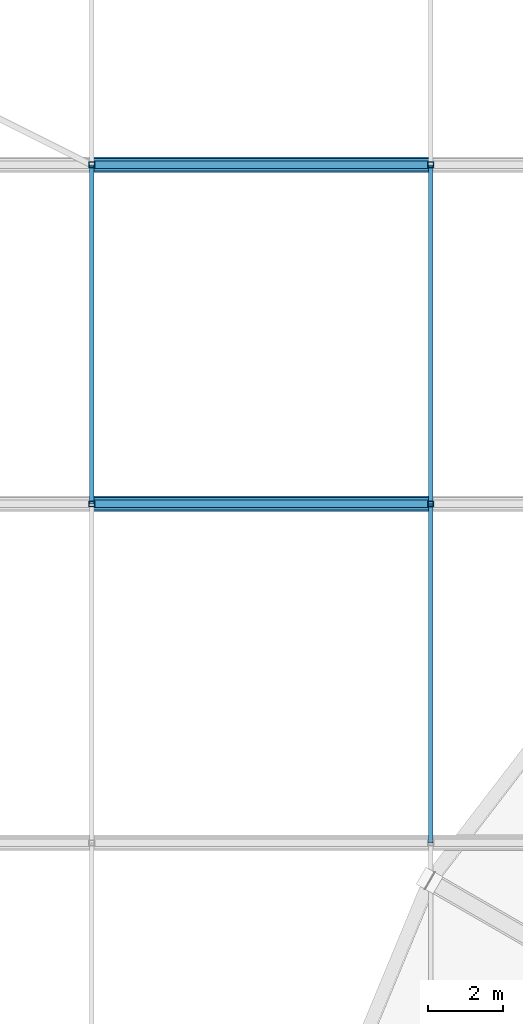
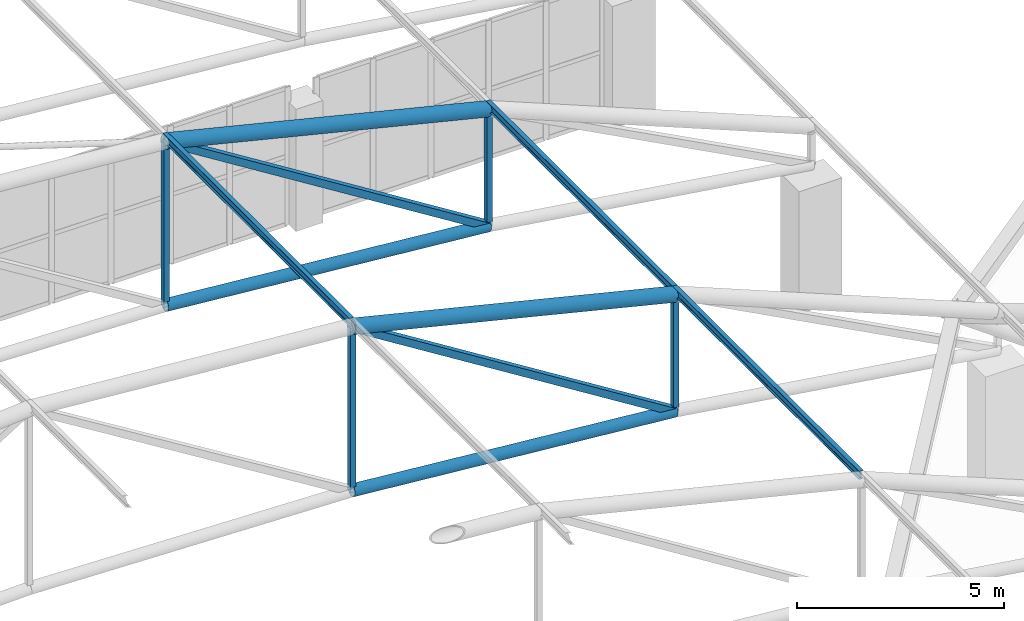
# One storey, part 62 of 167: 13 members.
"""IFC4 building model written with IfcOpenShell, lengths in metres."""

from ifc_helpers import new_model, si_unit, direction, frame, origin, origin_2d, place, context, subcontext, project, spatial, hollow_rectangle, hollow_circle, i_section, extrude, material, material_profile, profile_set, type_object, element, save


model = new_model("IFC4")

# Units and contexts
model_context = context("Model", 3, precision=1e-05, world=origin(), true_north=direction((0.0, 1.0)))
body_context = subcontext(model_context, "Body", "Model", "MODEL_VIEW")
ifc_project = project(units=[si_unit("LENGTHUNIT", "METRE"), si_unit("AREAUNIT", "SQUARE_METRE"), si_unit("VOLUMEUNIT", "CUBIC_METRE"), si_unit("PLANEANGLEUNIT", "RADIAN"), si_unit("MASSUNIT", "GRAM", prefix="KILO")], contexts=[model_context])

# Site, building, storey
site_placement = place(None, origin())
site = spatial("IfcSite", under=ifc_project, at=site_placement, CompositionType="ELEMENT")
building_placement = place(site_placement, origin())
building = spatial("IfcBuilding", under=site, at=building_placement, Name="Dornveld Trade and Exhibition Forum", CompositionType="ELEMENT")
storey_placement = place(building_placement, frame((0.0, 0.0, 16.800048828125)))
storey = spatial("IfcBuildingStorey", under=building, at=storey_placement, Name="L03", CompositionType="ELEMENT", Elevation=16.800048828125)

# Members
ifc_material_1 = material(Name="Steel S355J2", Category="steel")
ifc_material_profile_1 = material_profile(ifc_material_1, hollow_circle(Radius=0.161865234375, WallThickness=0.01611328125, at=origin_2d()), Name="CHS 323.9x16")
ifc_profile_set_1 = profile_set([ifc_material_profile_1], Name="Steel S355J2")
member_type_1 = type_object("IfcMemberType", Name="MEM-ARCH-BC", PredefinedType="CHORD", material=ifc_profile_set_1)
for number, where, z_axis, x_axis, name in (
    (1, (63.0, 117.0, 6.083251953125), (0.996072164085, 0.0, -0.088545151956), (0.0, 1.0, 0.0), "H3 truss 10 tie chord 5"),
    (2, (63.0, 126.0, 6.083251953125), (0.996072164085, 0.0, -0.088545151956), (0.0, 1.0, 0.0), "H3 truss 11 tie chord 5"),
):
    element("IfcMember", number, at=place(storey_placement, frame(where, z_axis=z_axis, x_axis=x_axis)), inside=storey, type_object=member_type_1, Name=name, PredefinedType="CHORD", context=body_context, shape_type="SweptSolid", body=[
        extrude(hollow_circle(Radius=0.161865234375, WallThickness=0.01611328125, at=origin_2d()), origin(), (0.0, 0.0, 1.0), 9.035400390625),
    ])
ifc_material_2 = material(Name="Steel S355J2", Category="steel")
ifc_material_profile_2 = material_profile(ifc_material_2, hollow_rectangle(XDim=0.14990234375, YDim=0.14990234375, WallThickness=0.008056640625, at=origin_2d()), Name="SHS 150x150x8")
ifc_profile_set_2 = profile_set([ifc_material_profile_2], Name="Steel S355J2")
member_type_2 = type_object("IfcMemberType", Name="MEM-ARCH-STR", PredefinedType="STRUT", material=ifc_profile_set_2)
member_1_placement = place(storey_placement, frame((63.0, 117.0, 6.083251953125), z_axis=(0.0, 0.0, 1.0), x_axis=(1.0, 0.0, 0.0)))
element("IfcMember", 3, at=member_1_placement, inside=storey, type_object=member_type_2, Name="H3 truss 10 strut 5", PredefinedType="STRUT", context=body_context, shape_type="SweptSolid", body=[
    extrude(hollow_rectangle(XDim=0.14990234375, YDim=0.14990234375, WallThickness=0.008056640625, at=origin_2d()), origin(), (0.0, 0.0, 1.0), 4.83349609375),
])
member_2_placement = place(storey_placement, frame((72.0, 117.0, 5.283203125), z_axis=(0.0, 0.0, 1.0), x_axis=(1.0, 0.0, 0.0)))
element("IfcMember", 4, at=member_2_placement, inside=storey, type_object=member_type_2, Name="H3 truss 10 strut 6", PredefinedType="STRUT", context=body_context, shape_type="SweptSolid", body=[
    extrude(hollow_rectangle(XDim=0.14990234375, YDim=0.14990234375, WallThickness=0.008056640625, at=origin_2d()), origin(), (0.0, 0.0, 1.0), 3.433349609375),
])
member_3_placement = place(storey_placement, frame((63.0, 126.0, 6.083251953125), z_axis=(0.0, 0.0, 1.0), x_axis=(1.0, 0.0, 0.0)))
element("IfcMember", 5, at=member_3_placement, inside=storey, type_object=member_type_2, Name="H3 truss 11 strut 5", PredefinedType="STRUT", context=body_context, shape_type="SweptSolid", body=[
    extrude(hollow_rectangle(XDim=0.14990234375, YDim=0.14990234375, WallThickness=0.008056640625, at=origin_2d()), origin(), (0.0, 0.0, 1.0), 4.83349609375),
])
member_4_placement = place(storey_placement, frame((72.0, 126.0, 5.283203125), z_axis=(0.0, 0.0, 1.0), x_axis=(1.0, 0.0, 0.0)))
element("IfcMember", 6, at=member_4_placement, inside=storey, type_object=member_type_2, Name="H3 truss 11 strut 6", PredefinedType="STRUT", context=body_context, shape_type="SweptSolid", body=[
    extrude(hollow_rectangle(XDim=0.14990234375, YDim=0.14990234375, WallThickness=0.008056640625, at=origin_2d()), origin(), (0.0, 0.0, 1.0), 3.433349609375),
])
ifc_material_3 = material(Name="Steel S355J2", Category="steel")
ifc_material_profile_3 = material_profile(ifc_material_3, hollow_circle(Radius=0.203125, WallThickness=0.02001953125, at=origin_2d()), Name="CHS 406.4x20")
ifc_profile_set_3 = profile_set([ifc_material_profile_3], Name="Steel S355J2")
member_type_3 = type_object("IfcMemberType", Name="MEM-ARCH-TC", PredefinedType="CHORD", material=ifc_profile_set_3)
for number, where, z_axis, x_axis, name in (
    (7, (63.0, 117.0, 10.916748046875), (0.971394143806, 0.0, -0.237472982421), (0.0, 1.0, 0.0), "H3 truss 10 top chord 5"),
    (8, (63.0, 126.0, 10.916748046875), (0.971394143806, 0.0, -0.237472982421), (0.0, 1.0, 0.0), "H3 truss 11 top chord 5"),
):
    element("IfcMember", number, at=place(storey_placement, frame(where, z_axis=z_axis, x_axis=x_axis)), inside=storey, type_object=member_type_3, Name=name, PredefinedType="CHORD", context=body_context, shape_type="SweptSolid", body=[
        extrude(hollow_circle(Radius=0.203125, WallThickness=0.02001953125, at=origin_2d()), origin(), (0.0, 0.0, 1.0), 9.26513671875),
    ])
ifc_material_4 = material(Name="Steel S355J2", Category="steel")
ifc_material_profile_4 = material_profile(ifc_material_4, hollow_rectangle(XDim=0.199951171875, YDim=0.199951171875, WallThickness=0.010009765625, at=origin_2d()), Name="SHS 200x200x10")
ifc_profile_set_4 = profile_set([ifc_material_profile_4], Name="Steel S355J2")
member_type_4 = type_object("IfcMemberType", Name="MEM-ARCH-WEB", PredefinedType="BRACE", material=ifc_profile_set_4)
for number, where, z_axis, x_axis, name in (
    (9, (72.0, 117.0, 5.283203125), (-0.84763640931, 0.0, 0.53057753214), (0.0, -1.0, 0.0), "H3 truss 10 web 5"),
    (10, (72.0, 126.0, 5.283203125), (-0.84763640931, 0.0, 0.53057753214), (0.0, -1.0, 0.0), "H3 truss 11 web 5"),
):
    element("IfcMember", number, at=place(storey_placement, frame(where, z_axis=z_axis, x_axis=x_axis)), inside=storey, type_object=member_type_4, Name=name, PredefinedType="BRACE", context=body_context, shape_type="SweptSolid", body=[
        extrude(hollow_rectangle(XDim=0.199951171875, YDim=0.199951171875, WallThickness=0.010009765625, at=origin_2d()), origin(), (0.0, 0.0, 1.0), 10.61767578125),
    ])
ifc_material_5 = material(Name="Steel S355J2", Category="steel")
ifc_material_profile_5 = material_profile(ifc_material_5, i_section(OverallWidth=0.1201171875, OverallDepth=0.239990234375, WebThickness=0.006103515625, FlangeThickness=0.009765625, FilletRadius=0.014892578125, at=origin_2d()), Name="IPE 240")
ifc_profile_set_5 = profile_set([ifc_material_profile_5], Name="Steel S355J2")
member_type_5 = type_object("IfcMemberType", Name="MEM-PURLIN-240", PredefinedType="PURLIN", material=ifc_profile_set_5)
for number, where, z_axis, x_axis, name in (
    (11, (72.0, 108.0, 8.8486328125), (0.0, 1.0, 0.0), (-1.0, 0.0, 0.0), "H3 bay 9 roof purlin 6"),
    (12, (63.0, 117.0, 11.048583984375), (0.0, 1.0, 0.0), (-1.0, 0.0, 0.0), "H3 bay 10 roof purlin 5"),
    (13, (72.0, 117.0, 8.8486328125), (0.0, 1.0, 0.0), (-1.0, 0.0, 0.0), "H3 bay 10 roof purlin 6"),
):
    element("IfcMember", number, at=place(storey_placement, frame(where, z_axis=z_axis, x_axis=x_axis)), inside=storey, type_object=member_type_5, Name=name, PredefinedType="PURLIN", context=body_context, shape_type="SweptSolid", body=[
        extrude(i_section(OverallWidth=0.1201171875, OverallDepth=0.239990234375, WebThickness=0.006103515625, FlangeThickness=0.009765625, FilletRadius=0.014892578125, at=origin_2d()), origin(), (0.0, 0.0, 1.0), 9.0),
    ])

save(model, "model.ifc")
